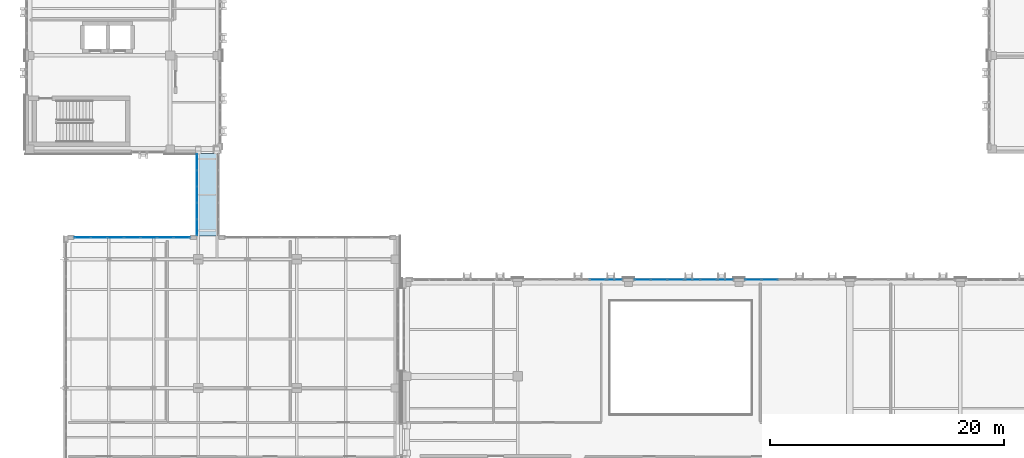
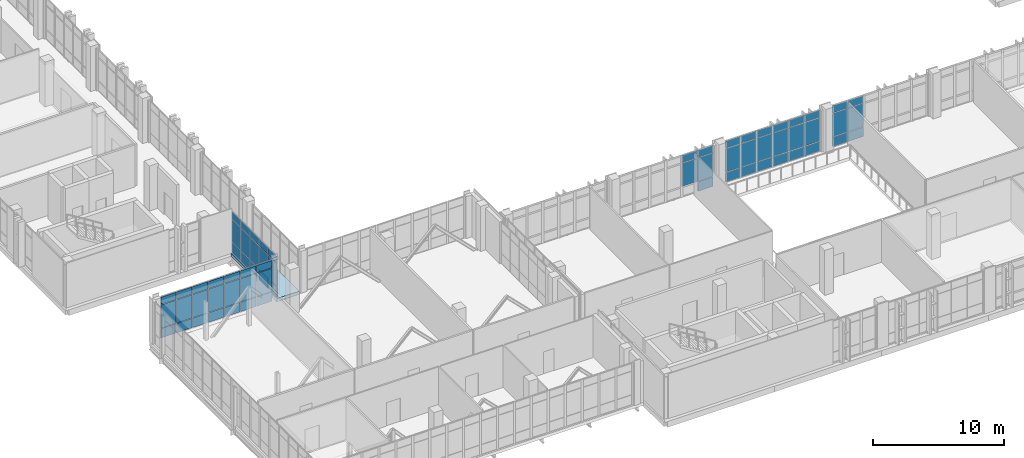
# One storey, part 133 of 193: 65 plates, 1 slab, 5 elements without a shape of their own.
"""IFC4 building model written with IfcOpenShell, lengths in metres."""

from ifc_helpers import new_model, si_unit, direction, frame, origin, origin_2d, place, context, subcontext, project, spatial, polyline, rectangle, outline, extrude, material, layer, layer_set, type_object, element, aggregate, save


model = new_model("IFC4")

# Units and contexts
model_context = context("Model", 3, precision=1e-05, world=origin(), true_north=direction((0.0, 1.0)))
body_context = subcontext(model_context, "Body", "Model", "MODEL_VIEW")
ifc_project = project(units=[si_unit("LENGTHUNIT", "METRE"), si_unit("AREAUNIT", "SQUARE_METRE"), si_unit("VOLUMEUNIT", "CUBIC_METRE"), si_unit("PLANEANGLEUNIT", "RADIAN"), si_unit("MASSUNIT", "GRAM", prefix="KILO")], contexts=[model_context])

# Site, building, storey
site_placement = place(None, origin())
site = spatial("IfcSite", under=ifc_project, at=site_placement, CompositionType="ELEMENT")
building_placement = place(site_placement, origin())
building = spatial("IfcBuilding", under=site, at=building_placement, Name="Qalavern Law Courts", CompositionType="ELEMENT")
storey_placement = place(building_placement, frame((0.0, 0.0, 10.199951171875)))
storey = spatial("IfcBuildingStorey", under=building, at=storey_placement, Name="L02", CompositionType="ELEMENT", Elevation=10.199951171875)

# Curtain wall, plates
ifc_material_1 = material(Name="Anodised aluminium and insulated glazing", Category="aluminium")
ifc_layer_1 = layer(ifc_material_1, 0.18505859375)
ifc_layer_set_1 = layer_set([ifc_layer_1], Name="Anodised aluminium and insulated glazing")
curtain_wall_type_1 = type_object("IfcCurtainWallType", Name="ENV-CW-HALL", PredefinedType="USERDEFINED", material=ifc_layer_set_1)
curtain_wall_1_placement = place(storey_placement, origin())
curtain_wall_1 = element("IfcCurtainWall", 1, at=curtain_wall_1_placement, inside=storey, type_object=curtain_wall_type_1, Name="V2 unitised curtain wall L02 north 3", ObjectType="UNITISED CURTAIN WALL", PredefinedType="USERDEFINED")
ifc_material_2 = material(Name="Insulated low-E acoustic glazing", Category="glass")
ifc_layer_2 = layer(ifc_material_2, 0.028076171875)
ifc_layer_set_2 = layer_set([ifc_layer_2], Name="Insulated low-E acoustic glazing")
plate_type_1 = type_object("IfcPlateType", Name="ENV-CWP-28", PredefinedType="CURTAIN_PANEL", material=ifc_layer_set_2)
plate_1_placement = place(storey_placement, frame((65.596435546875, 30.2451171875, 0.048095703125), z_axis=(0.0, 0.0, 1.0), x_axis=(-1.0, 0.0, 0.0)))
plate_1 = element("IfcPlate", 2, at=plate_1_placement, type_object=plate_type_1, Name="CW-02 panel 5.1", PredefinedType="CURTAIN_PANEL", context=body_context, shape_type="SweptSolid", body=[
    extrude(rectangle(XDim=1.361083984375, YDim=0.028076171875, at=origin_2d()), origin(), (0.0, 0.0, 1.0), 0.8779296875),
])
plate_2_placement = place(storey_placement, frame((65.596435546875, 30.2451171875, 0.97412109375), z_axis=(0.0, 0.0, 1.0), x_axis=(-1.0, 0.0, 0.0)))
plate_2 = element("IfcPlate", 3, at=plate_2_placement, type_object=plate_type_1, Name="CW-02 panel 5.2", PredefinedType="CURTAIN_PANEL", context=body_context, shape_type="SweptSolid", body=[
    extrude(rectangle(XDim=1.361083984375, YDim=0.028076171875, at=origin_2d()), origin(), (0.0, 0.0, 1.0), 2.1669921875),
])
plate_3_placement = place(storey_placement, frame((65.596435546875, 30.2451171875, 3.18896484375), z_axis=(0.0, 0.0, 1.0), x_axis=(-1.0, 0.0, 0.0)))
plate_3 = element("IfcPlate", 4, at=plate_3_placement, type_object=plate_type_1, Name="CW-02 panel 5.3", PredefinedType="CURTAIN_PANEL", context=body_context, shape_type="SweptSolid", body=[
    extrude(rectangle(XDim=1.361083984375, YDim=0.028076171875, at=origin_2d()), origin(), (0.0, 0.0, 1.0), 0.677978515625),
])
plate_4_placement = place(storey_placement, frame((64.199462890625, 30.2451171875, 0.048095703125), z_axis=(0.0, 0.0, 1.0), x_axis=(-1.0, 0.0, 0.0)))
plate_4 = element("IfcPlate", 5, at=plate_4_placement, type_object=plate_type_1, Name="CW-02 panel 6.1", PredefinedType="CURTAIN_PANEL", context=body_context, shape_type="SweptSolid", body=[
    extrude(rectangle(XDim=1.3369140625, YDim=0.028076171875, at=origin_2d()), origin(), (0.0, 0.0, 1.0), 0.8779296875),
])
plate_5_placement = place(storey_placement, frame((64.199462890625, 30.2451171875, 0.97412109375), z_axis=(0.0, 0.0, 1.0), x_axis=(-1.0, 0.0, 0.0)))
plate_5 = element("IfcPlate", 6, at=plate_5_placement, type_object=plate_type_1, Name="CW-02 panel 6.2", PredefinedType="CURTAIN_PANEL", context=body_context, shape_type="SweptSolid", body=[
    extrude(rectangle(XDim=1.3369140625, YDim=0.028076171875, at=origin_2d()), origin(), (0.0, 0.0, 1.0), 2.1669921875),
])
plate_6_placement = place(storey_placement, frame((64.199462890625, 30.2451171875, 3.18896484375), z_axis=(0.0, 0.0, 1.0), x_axis=(-1.0, 0.0, 0.0)))
plate_6 = element("IfcPlate", 7, at=plate_6_placement, type_object=plate_type_1, Name="CW-02 panel 6.3", PredefinedType="CURTAIN_PANEL", context=body_context, shape_type="SweptSolid", body=[
    extrude(rectangle(XDim=1.3369140625, YDim=0.028076171875, at=origin_2d()), origin(), (0.0, 0.0, 1.0), 0.677978515625),
])
aggregate(curtain_wall_1, [plate_1, plate_2, plate_3, plate_4, plate_5, plate_6])

curtain_wall_2_placement = place(storey_placement, origin())
curtain_wall_2 = element("IfcCurtainWall", 8, at=curtain_wall_2_placement, inside=storey, type_object=curtain_wall_type_1, Name="V2 unitised curtain wall L02 north 4", ObjectType="UNITISED CURTAIN WALL", PredefinedType="USERDEFINED")
ifc_layer_3 = layer(ifc_material_2, 0.031982421875)
ifc_layer_set_3 = layer_set([ifc_layer_3], Name="Insulated low-E acoustic glazing")
plate_type_2 = type_object("IfcPlateType", Name="ENV-CWP-32", PredefinedType="CURTAIN_PANEL", material=ifc_layer_set_3)
plate_7_placement = place(storey_placement, frame((61.766357421875, 30.2451171875, 0.048095703125), z_axis=(0.0, 0.0, 1.0), x_axis=(-1.0, 0.0, 0.0)))
plate_7 = element("IfcPlate", 9, at=plate_7_placement, type_object=plate_type_2, Name="CW-02 panel 1.1", PredefinedType="CURTAIN_PANEL", context=body_context, shape_type="SweptSolid", body=[
    extrude(rectangle(XDim=1.337158203125, YDim=0.031982421875, at=origin_2d()), origin(), (0.0, 0.0, 1.0), 0.8779296875),
])
plate_8_placement = place(storey_placement, frame((61.766357421875, 30.2451171875, 0.97412109375), z_axis=(0.0, 0.0, 1.0), x_axis=(-1.0, 0.0, 0.0)))
plate_8 = element("IfcPlate", 10, at=plate_8_placement, type_object=plate_type_2, Name="CW-02 panel 1.2", PredefinedType="CURTAIN_PANEL", context=body_context, shape_type="SweptSolid", body=[
    extrude(rectangle(XDim=1.337158203125, YDim=0.031982421875, at=origin_2d()), origin(), (0.0, 0.0, 1.0), 2.1669921875),
])
plate_9_placement = place(storey_placement, frame((61.766357421875, 30.2451171875, 3.18896484375), z_axis=(0.0, 0.0, 1.0), x_axis=(-1.0, 0.0, 0.0)))
plate_9 = element("IfcPlate", 11, at=plate_9_placement, type_object=plate_type_2, Name="CW-02 panel 1.3", PredefinedType="CURTAIN_PANEL", context=body_context, shape_type="SweptSolid", body=[
    extrude(rectangle(XDim=1.337158203125, YDim=0.031982421875, at=origin_2d()), origin(), (0.0, 0.0, 1.0), 0.677978515625),
])
plate_10_placement = place(storey_placement, frame((60.369384765625, 30.2451171875, 0.048095703125), z_axis=(0.0, 0.0, 1.0), x_axis=(-1.0, 0.0, 0.0)))
plate_10 = element("IfcPlate", 12, at=plate_10_placement, type_object=plate_type_2, Name="CW-02 panel 2.1", PredefinedType="CURTAIN_PANEL", context=body_context, shape_type="SweptSolid", body=[
    extrude(rectangle(XDim=1.361083984375, YDim=0.031982421875, at=origin_2d()), origin(), (0.0, 0.0, 1.0), 0.8779296875),
])
plate_11_placement = place(storey_placement, frame((60.369384765625, 30.2451171875, 0.97412109375), z_axis=(0.0, 0.0, 1.0), x_axis=(-1.0, 0.0, 0.0)))
plate_11 = element("IfcPlate", 13, at=plate_11_placement, type_object=plate_type_2, Name="CW-02 panel 2.2", PredefinedType="CURTAIN_PANEL", context=body_context, shape_type="SweptSolid", body=[
    extrude(rectangle(XDim=1.361083984375, YDim=0.031982421875, at=origin_2d()), origin(), (0.0, 0.0, 1.0), 2.1669921875),
])
plate_12_placement = place(storey_placement, frame((60.369384765625, 30.2451171875, 3.18896484375), z_axis=(0.0, 0.0, 1.0), x_axis=(-1.0, 0.0, 0.0)))
plate_12 = element("IfcPlate", 14, at=plate_12_placement, type_object=plate_type_2, Name="CW-02 panel 2.3", PredefinedType="CURTAIN_PANEL", context=body_context, shape_type="SweptSolid", body=[
    extrude(rectangle(XDim=1.361083984375, YDim=0.031982421875, at=origin_2d()), origin(), (0.0, 0.0, 1.0), 0.677978515625),
])
plate_13_placement = place(storey_placement, frame((58.960205078125, 30.2451171875, 0.048095703125), z_axis=(0.0, 0.0, 1.0), x_axis=(-1.0, 0.0, 0.0)))
plate_13 = element("IfcPlate", 15, at=plate_13_placement, type_object=plate_type_2, Name="CW-02 panel 3.1", PredefinedType="CURTAIN_PANEL", context=body_context, shape_type="SweptSolid", body=[
    extrude(rectangle(XDim=1.361083984375, YDim=0.031982421875, at=origin_2d()), origin(), (0.0, 0.0, 1.0), 0.8779296875),
])
plate_14_placement = place(storey_placement, frame((58.960205078125, 30.2451171875, 0.97412109375), z_axis=(0.0, 0.0, 1.0), x_axis=(-1.0, 0.0, 0.0)))
plate_14 = element("IfcPlate", 16, at=plate_14_placement, type_object=plate_type_2, Name="CW-02 panel 3.2", PredefinedType="CURTAIN_PANEL", context=body_context, shape_type="SweptSolid", body=[
    extrude(rectangle(XDim=1.361083984375, YDim=0.031982421875, at=origin_2d()), origin(), (0.0, 0.0, 1.0), 2.1669921875),
])
plate_15_placement = place(storey_placement, frame((58.960205078125, 30.2451171875, 3.18896484375), z_axis=(0.0, 0.0, 1.0), x_axis=(-1.0, 0.0, 0.0)))
plate_15 = element("IfcPlate", 17, at=plate_15_placement, type_object=plate_type_2, Name="CW-02 panel 3.3", PredefinedType="CURTAIN_PANEL", context=body_context, shape_type="SweptSolid", body=[
    extrude(rectangle(XDim=1.361083984375, YDim=0.031982421875, at=origin_2d()), origin(), (0.0, 0.0, 1.0), 0.677978515625),
])
plate_16_placement = place(storey_placement, frame((57.55126953125, 30.2451171875, 0.048095703125), z_axis=(0.0, 0.0, 1.0), x_axis=(-1.0, 0.0, 0.0)))
plate_16 = element("IfcPlate", 18, at=plate_16_placement, type_object=plate_type_2, Name="CW-02 panel 4.1", PredefinedType="CURTAIN_PANEL", context=body_context, shape_type="SweptSolid", body=[
    extrude(rectangle(XDim=1.361083984375, YDim=0.031982421875, at=origin_2d()), origin(), (0.0, 0.0, 1.0), 0.8779296875),
])
plate_17_placement = place(storey_placement, frame((57.55126953125, 30.2451171875, 0.97412109375), z_axis=(0.0, 0.0, 1.0), x_axis=(-1.0, 0.0, 0.0)))
plate_17 = element("IfcPlate", 19, at=plate_17_placement, type_object=plate_type_2, Name="CW-02 panel 4.2", PredefinedType="CURTAIN_PANEL", context=body_context, shape_type="SweptSolid", body=[
    extrude(rectangle(XDim=1.361083984375, YDim=0.031982421875, at=origin_2d()), origin(), (0.0, 0.0, 1.0), 2.1669921875),
])
plate_18_placement = place(storey_placement, frame((57.55126953125, 30.2451171875, 3.18896484375), z_axis=(0.0, 0.0, 1.0), x_axis=(-1.0, 0.0, 0.0)))
plate_18 = element("IfcPlate", 20, at=plate_18_placement, type_object=plate_type_2, Name="CW-02 panel 4.3", PredefinedType="CURTAIN_PANEL", context=body_context, shape_type="SweptSolid", body=[
    extrude(rectangle(XDim=1.361083984375, YDim=0.031982421875, at=origin_2d()), origin(), (0.0, 0.0, 1.0), 0.677978515625),
])
plate_19_placement = place(storey_placement, frame((56.14208984375, 30.2451171875, 0.048095703125), z_axis=(0.0, 0.0, 1.0), x_axis=(-1.0, 0.0, 0.0)))
plate_19 = element("IfcPlate", 21, at=plate_19_placement, type_object=plate_type_2, Name="CW-02 panel 5.1", PredefinedType="CURTAIN_PANEL", context=body_context, shape_type="SweptSolid", body=[
    extrude(rectangle(XDim=1.361083984375, YDim=0.031982421875, at=origin_2d()), origin(), (0.0, 0.0, 1.0), 0.8779296875),
])
plate_20_placement = place(storey_placement, frame((56.14208984375, 30.2451171875, 0.97412109375), z_axis=(0.0, 0.0, 1.0), x_axis=(-1.0, 0.0, 0.0)))
plate_20 = element("IfcPlate", 22, at=plate_20_placement, type_object=plate_type_2, Name="CW-02 panel 5.2", PredefinedType="CURTAIN_PANEL", context=body_context, shape_type="SweptSolid", body=[
    extrude(rectangle(XDim=1.361083984375, YDim=0.031982421875, at=origin_2d()), origin(), (0.0, 0.0, 1.0), 2.1669921875),
])
plate_21_placement = place(storey_placement, frame((56.14208984375, 30.2451171875, 3.18896484375), z_axis=(0.0, 0.0, 1.0), x_axis=(-1.0, 0.0, 0.0)))
plate_21 = element("IfcPlate", 23, at=plate_21_placement, type_object=plate_type_2, Name="CW-02 panel 5.3", PredefinedType="CURTAIN_PANEL", context=body_context, shape_type="SweptSolid", body=[
    extrude(rectangle(XDim=1.361083984375, YDim=0.031982421875, at=origin_2d()), origin(), (0.0, 0.0, 1.0), 0.677978515625),
])
plate_22_placement = place(storey_placement, frame((54.7451171875, 30.2451171875, 0.048095703125), z_axis=(0.0, 0.0, 1.0), x_axis=(-1.0, 0.0, 0.0)))
plate_22 = element("IfcPlate", 24, at=plate_22_placement, type_object=plate_type_2, Name="CW-02 panel 6.1", PredefinedType="CURTAIN_PANEL", context=body_context, shape_type="SweptSolid", body=[
    extrude(rectangle(XDim=1.337158203125, YDim=0.031982421875, at=origin_2d()), origin(), (0.0, 0.0, 1.0), 0.8779296875),
])
plate_23_placement = place(storey_placement, frame((54.7451171875, 30.2451171875, 0.97412109375), z_axis=(0.0, 0.0, 1.0), x_axis=(-1.0, 0.0, 0.0)))
plate_23 = element("IfcPlate", 25, at=plate_23_placement, type_object=plate_type_2, Name="CW-02 panel 6.2", PredefinedType="CURTAIN_PANEL", context=body_context, shape_type="SweptSolid", body=[
    extrude(rectangle(XDim=1.337158203125, YDim=0.031982421875, at=origin_2d()), origin(), (0.0, 0.0, 1.0), 2.1669921875),
])
plate_24_placement = place(storey_placement, frame((54.7451171875, 30.2451171875, 3.18896484375), z_axis=(0.0, 0.0, 1.0), x_axis=(-1.0, 0.0, 0.0)))
plate_24 = element("IfcPlate", 26, at=plate_24_placement, type_object=plate_type_2, Name="CW-02 panel 6.3", PredefinedType="CURTAIN_PANEL", context=body_context, shape_type="SweptSolid", body=[
    extrude(rectangle(XDim=1.337158203125, YDim=0.031982421875, at=origin_2d()), origin(), (0.0, 0.0, 1.0), 0.677978515625),
])
aggregate(curtain_wall_2, [plate_7, plate_8, plate_9, plate_10, plate_11, plate_12, plate_13, plate_14, plate_15, plate_16, plate_17, plate_18, plate_19, plate_20, plate_21, plate_22, plate_23, plate_24])

ifc_layer_4 = layer(ifc_material_1, 0.14990234375)
ifc_layer_set_4 = layer_set([ifc_layer_4], Name="Anodised aluminium and insulated glazing")
curtain_wall_type_2 = type_object("IfcCurtainWallType", Name="ENV-CW-BRG", PredefinedType="USERDEFINED", material=ifc_layer_set_4)
curtain_wall_3_placement = place(storey_placement, origin())
curtain_wall_3 = element("IfcCurtainWall", 27, at=curtain_wall_3_placement, inside=storey, type_object=curtain_wall_type_2, Name="Bridge BR-V1-V3 glazed curtain wall L02-1", ObjectType="UNITISED CURTAIN WALL", PredefinedType="USERDEFINED")
plate_25_placement = place(storey_placement, frame((16.675048828125, 40.2900390625, 0.048095703125), z_axis=(0.0, 0.0, 1.0), x_axis=(0.0, -1.0, 0.0)))
plate_25 = element("IfcPlate", 28, at=plate_25_placement, type_object=plate_type_2, Name="CW-06 panel 1.1", PredefinedType="CURTAIN_PANEL", context=body_context, shape_type="SweptSolid", body=[
    extrude(rectangle(XDim=1.323974609375, YDim=0.031982421875, at=origin_2d()), origin(), (0.0, 0.0, 1.0), 0.97802734375),
])
plate_26_placement = place(storey_placement, frame((16.675048828125, 40.2900390625, 1.07421875), z_axis=(0.0, 0.0, 1.0), x_axis=(0.0, -1.0, 0.0)))
plate_26 = element("IfcPlate", 29, at=plate_26_placement, type_object=plate_type_2, Name="CW-06 panel 1.2", PredefinedType="CURTAIN_PANEL", context=body_context, shape_type="SweptSolid", body=[
    extrude(rectangle(XDim=1.323974609375, YDim=0.031982421875, at=origin_2d()), origin(), (0.0, 0.0, 1.0), 2.116943359375),
])
plate_27_placement = place(storey_placement, frame((16.675048828125, 40.2900390625, 3.239013671875), z_axis=(0.0, 0.0, 1.0), x_axis=(0.0, -1.0, 0.0)))
plate_27 = element("IfcPlate", 30, at=plate_27_placement, type_object=plate_type_2, Name="CW-06 panel 1.3", PredefinedType="CURTAIN_PANEL", context=body_context, shape_type="SweptSolid", body=[
    extrude(rectangle(XDim=1.323974609375, YDim=0.031982421875, at=origin_2d()), origin(), (0.0, 0.0, 1.0), 0.6279296875),
])
plate_28_placement = place(storey_placement, frame((16.675048828125, 38.906005859375, 0.048095703125), z_axis=(0.0, 0.0, 1.0), x_axis=(0.0, -1.0, 0.0)))
plate_28 = element("IfcPlate", 31, at=plate_28_placement, type_object=plate_type_2, Name="CW-06 panel 2.1", PredefinedType="CURTAIN_PANEL", context=body_context, shape_type="SweptSolid", body=[
    extrude(rectangle(XDim=1.347900390625, YDim=0.031982421875, at=origin_2d()), origin(), (0.0, 0.0, 1.0), 0.97802734375),
])
plate_29_placement = place(storey_placement, frame((16.675048828125, 38.906005859375, 1.07421875), z_axis=(0.0, 0.0, 1.0), x_axis=(0.0, -1.0, 0.0)))
plate_29 = element("IfcPlate", 32, at=plate_29_placement, type_object=plate_type_2, Name="CW-06 panel 2.2", PredefinedType="CURTAIN_PANEL", context=body_context, shape_type="SweptSolid", body=[
    extrude(rectangle(XDim=1.347900390625, YDim=0.031982421875, at=origin_2d()), origin(), (0.0, 0.0, 1.0), 2.116943359375),
])
plate_30_placement = place(storey_placement, frame((16.675048828125, 38.906005859375, 3.239013671875), z_axis=(0.0, 0.0, 1.0), x_axis=(0.0, -1.0, 0.0)))
plate_30 = element("IfcPlate", 33, at=plate_30_placement, type_object=plate_type_2, Name="CW-06 panel 2.3", PredefinedType="CURTAIN_PANEL", context=body_context, shape_type="SweptSolid", body=[
    extrude(rectangle(XDim=1.347900390625, YDim=0.031982421875, at=origin_2d()), origin(), (0.0, 0.0, 1.0), 0.6279296875),
])
plate_31_placement = place(storey_placement, frame((16.675048828125, 37.510009765625, 0.048095703125), z_axis=(0.0, 0.0, 1.0), x_axis=(0.0, -1.0, 0.0)))
plate_31 = element("IfcPlate", 34, at=plate_31_placement, type_object=plate_type_2, Name="CW-06 panel 3.1", PredefinedType="CURTAIN_PANEL", context=body_context, shape_type="SweptSolid", body=[
    extrude(rectangle(XDim=1.347900390625, YDim=0.031982421875, at=origin_2d()), origin(), (0.0, 0.0, 1.0), 0.97802734375),
])
plate_32_placement = place(storey_placement, frame((16.675048828125, 37.510009765625, 1.07421875), z_axis=(0.0, 0.0, 1.0), x_axis=(0.0, -1.0, 0.0)))
plate_32 = element("IfcPlate", 35, at=plate_32_placement, type_object=plate_type_2, Name="CW-06 panel 3.2", PredefinedType="CURTAIN_PANEL", context=body_context, shape_type="SweptSolid", body=[
    extrude(rectangle(XDim=1.347900390625, YDim=0.031982421875, at=origin_2d()), origin(), (0.0, 0.0, 1.0), 2.116943359375),
])
plate_33_placement = place(storey_placement, frame((16.675048828125, 37.510009765625, 3.239013671875), z_axis=(0.0, 0.0, 1.0), x_axis=(0.0, -1.0, 0.0)))
plate_33 = element("IfcPlate", 36, at=plate_33_placement, type_object=plate_type_2, Name="CW-06 panel 3.3", PredefinedType="CURTAIN_PANEL", context=body_context, shape_type="SweptSolid", body=[
    extrude(rectangle(XDim=1.347900390625, YDim=0.031982421875, at=origin_2d()), origin(), (0.0, 0.0, 1.0), 0.6279296875),
])
plate_34_placement = place(storey_placement, frame((16.675048828125, 36.114013671875, 0.048095703125), z_axis=(0.0, 0.0, 1.0), x_axis=(0.0, -1.0, 0.0)))
plate_34 = element("IfcPlate", 37, at=plate_34_placement, type_object=plate_type_2, Name="CW-06 panel 4.1", PredefinedType="CURTAIN_PANEL", context=body_context, shape_type="SweptSolid", body=[
    extrude(rectangle(XDim=1.347900390625, YDim=0.031982421875, at=origin_2d()), origin(), (0.0, 0.0, 1.0), 0.97802734375),
])
plate_35_placement = place(storey_placement, frame((16.675048828125, 36.114013671875, 1.07421875), z_axis=(0.0, 0.0, 1.0), x_axis=(0.0, -1.0, 0.0)))
plate_35 = element("IfcPlate", 38, at=plate_35_placement, type_object=plate_type_2, Name="CW-06 panel 4.2", PredefinedType="CURTAIN_PANEL", context=body_context, shape_type="SweptSolid", body=[
    extrude(rectangle(XDim=1.347900390625, YDim=0.031982421875, at=origin_2d()), origin(), (0.0, 0.0, 1.0), 2.116943359375),
])
plate_36_placement = place(storey_placement, frame((16.675048828125, 36.114013671875, 3.239013671875), z_axis=(0.0, 0.0, 1.0), x_axis=(0.0, -1.0, 0.0)))
plate_36 = element("IfcPlate", 39, at=plate_36_placement, type_object=plate_type_2, Name="CW-06 panel 4.3", PredefinedType="CURTAIN_PANEL", context=body_context, shape_type="SweptSolid", body=[
    extrude(rectangle(XDim=1.347900390625, YDim=0.031982421875, at=origin_2d()), origin(), (0.0, 0.0, 1.0), 0.6279296875),
])
plate_37_placement = place(storey_placement, frame((16.675048828125, 34.72998046875, 0.048095703125), z_axis=(0.0, 0.0, 1.0), x_axis=(0.0, -1.0, 0.0)))
plate_37 = element("IfcPlate", 40, at=plate_37_placement, type_object=plate_type_2, Name="CW-06 panel 5.1", PredefinedType="CURTAIN_PANEL", context=body_context, shape_type="SweptSolid", body=[
    extrude(rectangle(XDim=1.323974609375, YDim=0.031982421875, at=origin_2d()), origin(), (0.0, 0.0, 1.0), 0.97802734375),
])
plate_38_placement = place(storey_placement, frame((16.675048828125, 34.72998046875, 1.07421875), z_axis=(0.0, 0.0, 1.0), x_axis=(0.0, -1.0, 0.0)))
plate_38 = element("IfcPlate", 41, at=plate_38_placement, type_object=plate_type_2, Name="CW-06 panel 5.2", PredefinedType="CURTAIN_PANEL", context=body_context, shape_type="SweptSolid", body=[
    extrude(rectangle(XDim=1.323974609375, YDim=0.031982421875, at=origin_2d()), origin(), (0.0, 0.0, 1.0), 2.116943359375),
])
plate_39_placement = place(storey_placement, frame((16.675048828125, 34.72998046875, 3.239013671875), z_axis=(0.0, 0.0, 1.0), x_axis=(0.0, -1.0, 0.0)))
plate_39 = element("IfcPlate", 42, at=plate_39_placement, type_object=plate_type_2, Name="CW-06 panel 5.3", PredefinedType="CURTAIN_PANEL", context=body_context, shape_type="SweptSolid", body=[
    extrude(rectangle(XDim=1.323974609375, YDim=0.031982421875, at=origin_2d()), origin(), (0.0, 0.0, 1.0), 0.6279296875),
])
aggregate(curtain_wall_3, [plate_25, plate_26, plate_27, plate_28, plate_29, plate_30, plate_31, plate_32, plate_33, plate_34, plate_35, plate_36, plate_37, plate_38, plate_39])

curtain_wall_4_placement = place(storey_placement, origin())
curtain_wall_4 = element("IfcCurtainWall", 43, at=curtain_wall_4_placement, inside=storey, type_object=curtain_wall_type_1, Name="V2 unitised curtain wall L02 north 5", ObjectType="UNITISED CURTAIN WALL", PredefinedType="USERDEFINED")
ifc_layer_5 = layer(ifc_material_2, 0.035888671875)
ifc_layer_set_5 = layer_set([ifc_layer_5], Name="Insulated low-E acoustic glazing")
plate_type_3 = type_object("IfcPlateType", Name="ENV-CWP-36", PredefinedType="CURTAIN_PANEL", material=ifc_layer_set_5)
plate_40_placement = place(storey_placement, frame((52.31201171875, 30.2451171875, 0.048095703125), z_axis=(0.0, 0.0, 1.0), x_axis=(-1.0, 0.0, 0.0)))
plate_40 = element("IfcPlate", 44, at=plate_40_placement, type_object=plate_type_3, Name="CW-02 panel 1.1", PredefinedType="CURTAIN_PANEL", context=body_context, shape_type="SweptSolid", body=[
    extrude(rectangle(XDim=1.337158203125, YDim=0.035888671875, at=origin_2d()), origin(), (0.0, 0.0, 1.0), 0.8779296875),
])
plate_41_placement = place(storey_placement, frame((52.31201171875, 30.2451171875, 0.97412109375), z_axis=(0.0, 0.0, 1.0), x_axis=(-1.0, 0.0, 0.0)))
plate_41 = element("IfcPlate", 45, at=plate_41_placement, type_object=plate_type_3, Name="CW-02 panel 1.2", PredefinedType="CURTAIN_PANEL", context=body_context, shape_type="SweptSolid", body=[
    extrude(rectangle(XDim=1.337158203125, YDim=0.035888671875, at=origin_2d()), origin(), (0.0, 0.0, 1.0), 2.1669921875),
])
plate_42_placement = place(storey_placement, frame((52.31201171875, 30.2451171875, 3.18896484375), z_axis=(0.0, 0.0, 1.0), x_axis=(-1.0, 0.0, 0.0)))
plate_42 = element("IfcPlate", 46, at=plate_42_placement, type_object=plate_type_3, Name="CW-02 panel 1.3", PredefinedType="CURTAIN_PANEL", context=body_context, shape_type="SweptSolid", body=[
    extrude(rectangle(XDim=1.337158203125, YDim=0.035888671875, at=origin_2d()), origin(), (0.0, 0.0, 1.0), 0.677978515625),
])
plate_43_placement = place(storey_placement, frame((50.9150390625, 30.2451171875, 0.97412109375), z_axis=(0.0, 0.0, 1.0), x_axis=(-1.0, 0.0, 0.0)))
plate_43 = element("IfcPlate", 47, at=plate_43_placement, type_object=plate_type_3, Name="CW-02 panel 2.2", PredefinedType="CURTAIN_PANEL", context=body_context, shape_type="SweptSolid", body=[
    extrude(rectangle(XDim=1.361083984375, YDim=0.035888671875, at=origin_2d()), origin(), (0.0, 0.0, 1.0), 2.1669921875),
])
plate_44_placement = place(storey_placement, frame((50.9150390625, 30.2451171875, 3.18896484375), z_axis=(0.0, 0.0, 1.0), x_axis=(-1.0, 0.0, 0.0)))
plate_44 = element("IfcPlate", 48, at=plate_44_placement, type_object=plate_type_3, Name="CW-02 panel 2.3", PredefinedType="CURTAIN_PANEL", context=body_context, shape_type="SweptSolid", body=[
    extrude(rectangle(XDim=1.361083984375, YDim=0.035888671875, at=origin_2d()), origin(), (0.0, 0.0, 1.0), 0.677978515625),
])
aggregate(curtain_wall_4, [plate_40, plate_41, plate_42, plate_43, plate_44])

ifc_layer_6 = layer(ifc_material_1, 0.199951171875)
ifc_layer_set_6 = layer_set([ifc_layer_6], Name="Anodised aluminium and insulated glazing")
curtain_wall_type_3 = type_object("IfcCurtainWallType", Name="ENV-CW-FOYER", PredefinedType="USERDEFINED", material=ifc_layer_set_6)
curtain_wall_5_placement = place(storey_placement, origin())
curtain_wall_5 = element("IfcCurtainWall", 49, at=curtain_wall_5_placement, inside=storey, type_object=curtain_wall_type_3, Name="V1 unitised curtain wall L02 north 1", ObjectType="UNITISED CURTAIN WALL", PredefinedType="USERDEFINED")
ifc_layer_7 = layer(ifc_material_2, 0.052001953125)
ifc_layer_set_7 = layer_set([ifc_layer_7], Name="Insulated low-E acoustic glazing")
plate_type_4 = type_object("IfcPlateType", Name="ENV-CWP-52", PredefinedType="CURTAIN_PANEL", material=ifc_layer_set_7)
plate_45_placement = place(storey_placement, frame((15.381103515625, 33.844970703125, 0.048095703125), z_axis=(0.0, 0.0, 1.0), x_axis=(-1.0, 0.0, 0.0)))
plate_45 = element("IfcPlate", 50, at=plate_45_placement, type_object=plate_type_4, Name="CW-01 panel 1.1", PredefinedType="CURTAIN_PANEL", context=body_context, shape_type="SweptSolid", body=[
    extrude(rectangle(XDim=1.341552734375, YDim=0.052001953125, at=origin_2d()), origin(), (0.0, 0.0, 1.0), 0.8779296875),
])
plate_46_placement = place(storey_placement, frame((15.381103515625, 33.844970703125, 0.97412109375), z_axis=(0.0, 0.0, 1.0), x_axis=(-1.0, 0.0, 0.0)))
plate_46 = element("IfcPlate", 51, at=plate_46_placement, type_object=plate_type_4, Name="CW-01 panel 1.2", PredefinedType="CURTAIN_PANEL", context=body_context, shape_type="SweptSolid", body=[
    extrude(rectangle(XDim=1.341552734375, YDim=0.052001953125, at=origin_2d()), origin(), (0.0, 0.0, 1.0), 2.1669921875),
])
plate_47_placement = place(storey_placement, frame((15.381103515625, 33.844970703125, 3.18896484375), z_axis=(0.0, 0.0, 1.0), x_axis=(-1.0, 0.0, 0.0)))
plate_47 = element("IfcPlate", 52, at=plate_47_placement, type_object=plate_type_4, Name="CW-01 panel 1.3", PredefinedType="CURTAIN_PANEL", context=body_context, shape_type="SweptSolid", body=[
    extrude(rectangle(XDim=1.341552734375, YDim=0.052001953125, at=origin_2d()), origin(), (0.0, 0.0, 1.0), 0.677978515625),
])
plate_48_placement = place(storey_placement, frame((13.979736328125, 33.844970703125, 0.048095703125), z_axis=(0.0, 0.0, 1.0), x_axis=(-1.0, 0.0, 0.0)))
plate_48 = element("IfcPlate", 53, at=plate_48_placement, type_object=plate_type_4, Name="CW-01 panel 2.1", PredefinedType="CURTAIN_PANEL", context=body_context, shape_type="SweptSolid", body=[
    extrude(rectangle(XDim=1.365478515625, YDim=0.052001953125, at=origin_2d()), origin(), (0.0, 0.0, 1.0), 0.8779296875),
])
plate_49_placement = place(storey_placement, frame((13.979736328125, 33.844970703125, 0.97412109375), z_axis=(0.0, 0.0, 1.0), x_axis=(-1.0, 0.0, 0.0)))
plate_49 = element("IfcPlate", 54, at=plate_49_placement, type_object=plate_type_4, Name="CW-01 panel 2.2", PredefinedType="CURTAIN_PANEL", context=body_context, shape_type="SweptSolid", body=[
    extrude(rectangle(XDim=1.365478515625, YDim=0.052001953125, at=origin_2d()), origin(), (0.0, 0.0, 1.0), 2.1669921875),
])
plate_50_placement = place(storey_placement, frame((13.979736328125, 33.844970703125, 3.18896484375), z_axis=(0.0, 0.0, 1.0), x_axis=(-1.0, 0.0, 0.0)))
plate_50 = element("IfcPlate", 55, at=plate_50_placement, type_object=plate_type_4, Name="CW-01 panel 2.3", PredefinedType="CURTAIN_PANEL", context=body_context, shape_type="SweptSolid", body=[
    extrude(rectangle(XDim=1.365478515625, YDim=0.052001953125, at=origin_2d()), origin(), (0.0, 0.0, 1.0), 0.677978515625),
])
plate_51_placement = place(storey_placement, frame((12.566162109375, 33.844970703125, 0.048095703125), z_axis=(0.0, 0.0, 1.0), x_axis=(-1.0, 0.0, 0.0)))
plate_51 = element("IfcPlate", 56, at=plate_51_placement, type_object=plate_type_4, Name="CW-01 panel 3.1", PredefinedType="CURTAIN_PANEL", context=body_context, shape_type="SweptSolid", body=[
    extrude(rectangle(XDim=1.365478515625, YDim=0.052001953125, at=origin_2d()), origin(), (0.0, 0.0, 1.0), 0.8779296875),
])
plate_52_placement = place(storey_placement, frame((12.566162109375, 33.844970703125, 0.97412109375), z_axis=(0.0, 0.0, 1.0), x_axis=(-1.0, 0.0, 0.0)))
plate_52 = element("IfcPlate", 57, at=plate_52_placement, type_object=plate_type_4, Name="CW-01 panel 3.2", PredefinedType="CURTAIN_PANEL", context=body_context, shape_type="SweptSolid", body=[
    extrude(rectangle(XDim=1.365478515625, YDim=0.052001953125, at=origin_2d()), origin(), (0.0, 0.0, 1.0), 2.1669921875),
])
plate_53_placement = place(storey_placement, frame((12.566162109375, 33.844970703125, 3.18896484375), z_axis=(0.0, 0.0, 1.0), x_axis=(-1.0, 0.0, 0.0)))
plate_53 = element("IfcPlate", 58, at=plate_53_placement, type_object=plate_type_4, Name="CW-01 panel 3.3", PredefinedType="CURTAIN_PANEL", context=body_context, shape_type="SweptSolid", body=[
    extrude(rectangle(XDim=1.365478515625, YDim=0.052001953125, at=origin_2d()), origin(), (0.0, 0.0, 1.0), 0.677978515625),
])
plate_54_placement = place(storey_placement, frame((11.152587890625, 33.844970703125, 0.048095703125), z_axis=(0.0, 0.0, 1.0), x_axis=(-1.0, 0.0, 0.0)))
plate_54 = element("IfcPlate", 59, at=plate_54_placement, type_object=plate_type_4, Name="CW-01 panel 4.1", PredefinedType="CURTAIN_PANEL", context=body_context, shape_type="SweptSolid", body=[
    extrude(rectangle(XDim=1.365478515625, YDim=0.052001953125, at=origin_2d()), origin(), (0.0, 0.0, 1.0), 0.8779296875),
])
plate_55_placement = place(storey_placement, frame((11.152587890625, 33.844970703125, 0.97412109375), z_axis=(0.0, 0.0, 1.0), x_axis=(-1.0, 0.0, 0.0)))
plate_55 = element("IfcPlate", 60, at=plate_55_placement, type_object=plate_type_4, Name="CW-01 panel 4.2", PredefinedType="CURTAIN_PANEL", context=body_context, shape_type="SweptSolid", body=[
    extrude(rectangle(XDim=1.365478515625, YDim=0.052001953125, at=origin_2d()), origin(), (0.0, 0.0, 1.0), 2.1669921875),
])
plate_56_placement = place(storey_placement, frame((11.152587890625, 33.844970703125, 3.18896484375), z_axis=(0.0, 0.0, 1.0), x_axis=(-1.0, 0.0, 0.0)))
plate_56 = element("IfcPlate", 61, at=plate_56_placement, type_object=plate_type_4, Name="CW-01 panel 4.3", PredefinedType="CURTAIN_PANEL", context=body_context, shape_type="SweptSolid", body=[
    extrude(rectangle(XDim=1.365478515625, YDim=0.052001953125, at=origin_2d()), origin(), (0.0, 0.0, 1.0), 0.677978515625),
])
plate_57_placement = place(storey_placement, frame((9.739013671875, 33.844970703125, 0.048095703125), z_axis=(0.0, 0.0, 1.0), x_axis=(-1.0, 0.0, 0.0)))
plate_57 = element("IfcPlate", 62, at=plate_57_placement, type_object=plate_type_4, Name="CW-01 panel 5.1", PredefinedType="CURTAIN_PANEL", context=body_context, shape_type="SweptSolid", body=[
    extrude(rectangle(XDim=1.365478515625, YDim=0.052001953125, at=origin_2d()), origin(), (0.0, 0.0, 1.0), 0.8779296875),
])
plate_58_placement = place(storey_placement, frame((9.739013671875, 33.844970703125, 0.97412109375), z_axis=(0.0, 0.0, 1.0), x_axis=(-1.0, 0.0, 0.0)))
plate_58 = element("IfcPlate", 63, at=plate_58_placement, type_object=plate_type_4, Name="CW-01 panel 5.2", PredefinedType="CURTAIN_PANEL", context=body_context, shape_type="SweptSolid", body=[
    extrude(rectangle(XDim=1.365478515625, YDim=0.052001953125, at=origin_2d()), origin(), (0.0, 0.0, 1.0), 2.1669921875),
])
plate_59_placement = place(storey_placement, frame((9.739013671875, 33.844970703125, 3.18896484375), z_axis=(0.0, 0.0, 1.0), x_axis=(-1.0, 0.0, 0.0)))
plate_59 = element("IfcPlate", 64, at=plate_59_placement, type_object=plate_type_4, Name="CW-01 panel 5.3", PredefinedType="CURTAIN_PANEL", context=body_context, shape_type="SweptSolid", body=[
    extrude(rectangle(XDim=1.365478515625, YDim=0.052001953125, at=origin_2d()), origin(), (0.0, 0.0, 1.0), 0.677978515625),
])
plate_60_placement = place(storey_placement, frame((8.325439453125, 33.844970703125, 0.048095703125), z_axis=(0.0, 0.0, 1.0), x_axis=(-1.0, 0.0, 0.0)))
plate_60 = element("IfcPlate", 65, at=plate_60_placement, type_object=plate_type_4, Name="CW-01 panel 6.1", PredefinedType="CURTAIN_PANEL", context=body_context, shape_type="SweptSolid", body=[
    extrude(rectangle(XDim=1.365478515625, YDim=0.052001953125, at=origin_2d()), origin(), (0.0, 0.0, 1.0), 0.8779296875),
])
plate_61_placement = place(storey_placement, frame((8.325439453125, 33.844970703125, 0.97412109375), z_axis=(0.0, 0.0, 1.0), x_axis=(-1.0, 0.0, 0.0)))
plate_61 = element("IfcPlate", 66, at=plate_61_placement, type_object=plate_type_4, Name="CW-01 panel 6.2", PredefinedType="CURTAIN_PANEL", context=body_context, shape_type="SweptSolid", body=[
    extrude(rectangle(XDim=1.365478515625, YDim=0.052001953125, at=origin_2d()), origin(), (0.0, 0.0, 1.0), 2.1669921875),
])
plate_62_placement = place(storey_placement, frame((8.325439453125, 33.844970703125, 3.18896484375), z_axis=(0.0, 0.0, 1.0), x_axis=(-1.0, 0.0, 0.0)))
plate_62 = element("IfcPlate", 67, at=plate_62_placement, type_object=plate_type_4, Name="CW-01 panel 6.3", PredefinedType="CURTAIN_PANEL", context=body_context, shape_type="SweptSolid", body=[
    extrude(rectangle(XDim=1.365478515625, YDim=0.052001953125, at=origin_2d()), origin(), (0.0, 0.0, 1.0), 0.677978515625),
])
plate_63_placement = place(storey_placement, frame((6.923828125, 33.844970703125, 0.048095703125), z_axis=(0.0, 0.0, 1.0), x_axis=(-1.0, 0.0, 0.0)))
plate_63 = element("IfcPlate", 68, at=plate_63_placement, type_object=plate_type_4, Name="CW-01 panel 7.1", PredefinedType="CURTAIN_PANEL", context=body_context, shape_type="SweptSolid", body=[
    extrude(rectangle(XDim=1.341552734375, YDim=0.052001953125, at=origin_2d()), origin(), (0.0, 0.0, 1.0), 0.8779296875),
])
plate_64_placement = place(storey_placement, frame((6.923828125, 33.844970703125, 0.97412109375), z_axis=(0.0, 0.0, 1.0), x_axis=(-1.0, 0.0, 0.0)))
plate_64 = element("IfcPlate", 69, at=plate_64_placement, type_object=plate_type_4, Name="CW-01 panel 7.2", PredefinedType="CURTAIN_PANEL", context=body_context, shape_type="SweptSolid", body=[
    extrude(rectangle(XDim=1.341552734375, YDim=0.052001953125, at=origin_2d()), origin(), (0.0, 0.0, 1.0), 2.1669921875),
])
plate_65_placement = place(storey_placement, frame((6.923828125, 33.844970703125, 3.18896484375), z_axis=(0.0, 0.0, 1.0), x_axis=(-1.0, 0.0, 0.0)))
plate_65 = element("IfcPlate", 70, at=plate_65_placement, type_object=plate_type_4, Name="CW-01 panel 7.3", PredefinedType="CURTAIN_PANEL", context=body_context, shape_type="SweptSolid", body=[
    extrude(rectangle(XDim=1.341552734375, YDim=0.052001953125, at=origin_2d()), origin(), (0.0, 0.0, 1.0), 0.677978515625),
])
aggregate(curtain_wall_5, [plate_45, plate_46, plate_47, plate_48, plate_49, plate_50, plate_51, plate_52, plate_53, plate_54, plate_55, plate_56, plate_57, plate_58, plate_59, plate_60, plate_61, plate_62, plate_63, plate_64, plate_65])

# Slab
ifc_material_3 = material(Name="Concrete C40/50", Category="concrete")
ifc_layer_8 = layer(ifc_material_3, 0.2900390625)
ifc_layer_set_8 = layer_set([ifc_layer_8], Name="Concrete C40/50")
slab_type = type_object("IfcSlabType", Name="STR-SLB-L02-290", PredefinedType="FLOOR", material=ifc_layer_set_8)
slab_placement = place(storey_placement, frame((0.0, 0.0, -0.2900390625)))
element("IfcSlab", 71, at=slab_placement, inside=storey, type_object=slab_type, Name="Bridge BR-V1-V3 deck slab L02", PredefinedType="FLOOR", context=body_context, shape_type="SweptSolid", body=[
    extrude(outline(polyline([(16.60009765625, 34.0), (18.60009765625, 34.0), (18.60009765625, 41.02001953125), (16.60009765625, 41.02001953125), (16.60009765625, 34.0)])), origin(), (0.0, 0.0, 1.0), 0.2900390625),
])

save(model, "model.ifc")
